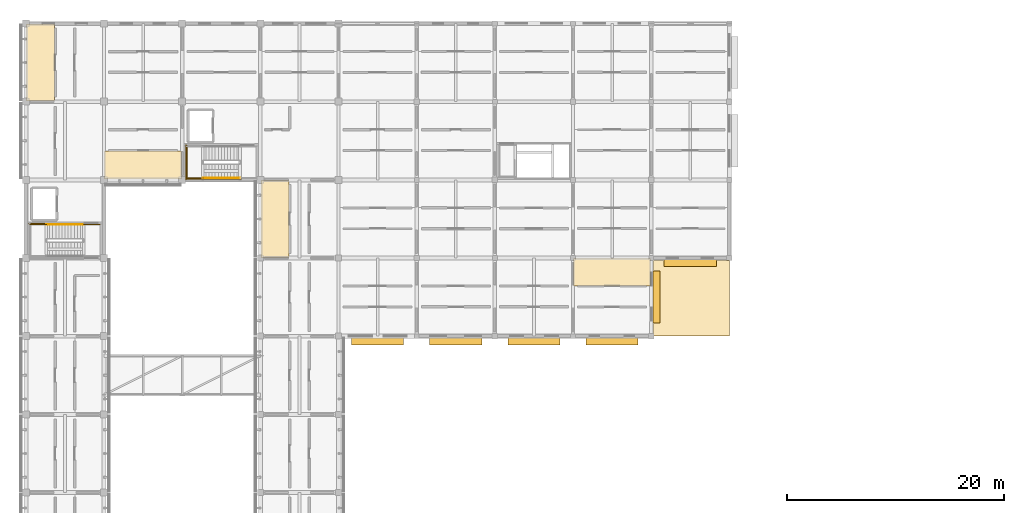
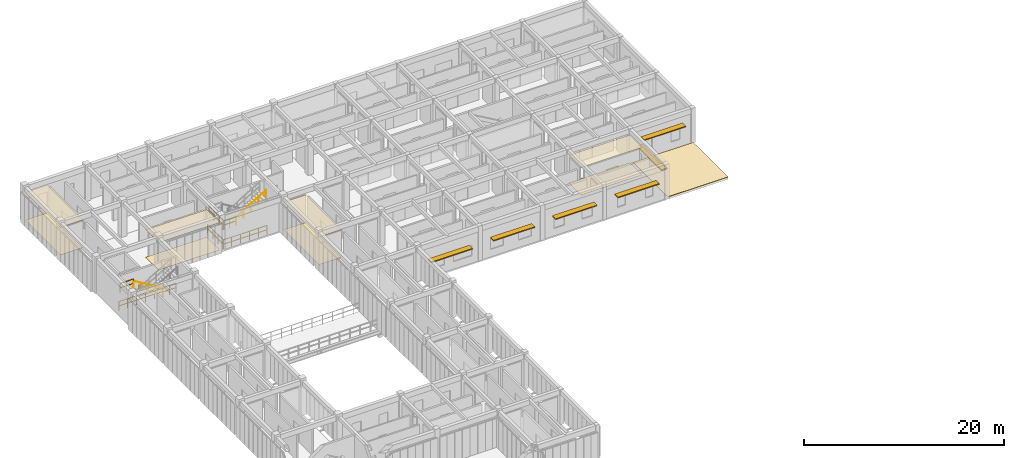
# One storey, part 88 of 91: 9 coverings, 9 railings, 6 shading devices.
"""IFC4 building model written with IfcOpenShell, lengths in metres."""

import ifcopenshell
import ifcopenshell.guid

model = None  # the IFC model being written
_history = None  # IfcOwnerHistory: only IFC2X3 demands one
_inside = {}  # id of a spatial element -> (the spatial element, [elements in it])
_under = {}  # id of a project, library or spatial element -> (it, [spatial elements below it])
_declared = {}  # id of a project -> (the project, [libraries it declares])
_typed = {}  # id of a type object -> (the type object, [elements of that type])
_made_of = {}  # id of a material, layer set ... -> (it, [elements and type objects made of it])


def new_model(schema):
    """Start an empty IFC model of exactly this schema.

    Asked for "IFC4X3", IfcOpenShell would pick the latest addendum, in which some entities
    have other attributes; the version numbers below select the first issue.
    IFC2X3 requires an IfcOwnerHistory on every rooted entity: one is made here for all.
    """
    global model, _history
    if schema == "IFC4X3":
        model = ifcopenshell.file(schema_version=(4, 3, 0, 0))
    else:
        model = ifcopenshell.file(schema=schema)
    _inside.clear()
    _under.clear()
    _declared.clear()
    _typed.clear()
    _made_of.clear()
    _history = None
    if model.schema == "IFC2X3":
        org = make("IfcOrganization", Name="unknown")
        user = make(
            "IfcPersonAndOrganization",
            ThePerson=make("IfcPerson", FamilyName="unknown"),
            TheOrganization=org,
        )
        app = make(
            "IfcApplication",
            ApplicationDeveloper=org,
            Version="unknown",
            ApplicationFullName="unknown",
            ApplicationIdentifier="unknown",
        )
        _history = make(
            "IfcOwnerHistory",
            OwningUser=user,
            OwningApplication=app,
            ChangeAction="ADDED",
            CreationDate=0,
        )
    return model


def make(cls, **values):
    """One entity of the class cls with the attributes given. An attribute that is None is left unset."""
    return model.create_entity(
        cls, **{name: value for name, value in values.items() if value is not None}
    )


def rooted(cls, **values):
    """An entity with a GlobalId (a new one), such as an element, a storey or a relation."""
    return make(cls, GlobalId=ifcopenshell.guid.new(), OwnerHistory=_history, **values)


def si_unit(unit_type, name, prefix=None):
    """IfcSIUnit, for example si_unit("LENGTHUNIT", "METRE", prefix="MILLI")."""
    return make("IfcSIUnit", UnitType=unit_type, Prefix=prefix, Name=name)


def assignment(units):
    """IfcUnitAssignment: the units of a project."""
    return None if units is None else make("IfcUnitAssignment", Units=units)


def point(xyz):
    """IfcCartesianPoint."""
    return None if xyz is None else make("IfcCartesianPoint", Coordinates=xyz)


def direction(xyz):
    """IfcDirection."""
    return None if xyz is None else make("IfcDirection", DirectionRatios=xyz)


def frame(location, z_axis=None, x_axis=None):
    """IfcAxis2Placement3D, a coordinate frame: its origin and axes. An axis left out is left unset."""
    return make(
        "IfcAxis2Placement3D",
        Location=point(location),
        Axis=direction(z_axis),
        RefDirection=direction(x_axis),
    )


def frame_2d(location, x_axis=None):
    """IfcAxis2Placement2D, a coordinate frame in the plane: its origin and x axis."""
    return make(
        "IfcAxis2Placement2D", Location=point(location), RefDirection=direction(x_axis)
    )


def origin():
    """The frame at (0, 0, 0) with its axes left unset."""
    return frame((0.0, 0.0, 0.0))


def origin_2d():
    """The frame at (0, 0) in the plane with its x axis left unset."""
    return frame_2d((0.0, 0.0))


def place(relative_to, where):
    """IfcLocalPlacement: puts the frame where relative to a parent placement (None: the world)."""
    return make(
        "IfcLocalPlacement", PlacementRelTo=relative_to, RelativePlacement=where
    )


def context(
    kind, dimensions, precision=None, world=None, true_north=None, identifier=None
):
    """IfcGeometricRepresentationContext, for example the 3D "Model" context."""
    return make(
        "IfcGeometricRepresentationContext",
        ContextIdentifier=identifier,
        ContextType=kind,
        CoordinateSpaceDimension=dimensions,
        Precision=precision,
        WorldCoordinateSystem=world,
        TrueNorth=true_north,
    )


def subcontext(parent, identifier, kind, view, scale=None):
    """IfcGeometricRepresentationSubContext, for example "Body" below "Model"."""
    return make(
        "IfcGeometricRepresentationSubContext",
        ContextIdentifier=identifier,
        ContextType=kind,
        ParentContext=parent,
        TargetScale=scale,
        TargetView=view,
    )


def project(units=None, contexts=None):
    """IfcProject with its units and contexts."""
    return rooted(
        "IfcProject",
        Name="project",
        RepresentationContexts=contexts,
        UnitsInContext=assignment(units),
    )


def spatial(cls, under=None, at=None, **own):
    """A site, building, storey or space (cls), placed at a placement, below another one or the project."""
    s = rooted(cls, ObjectPlacement=at, **own)
    if under is not None:
        _under.setdefault(under.id(), (under, []))[1].append(s)
    return s


def polyline(points):
    """IfcPolyline through the points."""
    return make("IfcPolyline", Points=[point(p) for p in points])


def profile(cls, at=None, kind="AREA", **sizes):
    """A parametric profile (cls). Its sizes go by their IFC names, for example OverallWidth=200.0."""
    return make(cls, ProfileType=kind, Position=at, **sizes)


def rectangle(**sizes):
    """IfcRectangleProfileDef."""
    return profile("IfcRectangleProfileDef", **sizes)


def circle(**sizes):
    """IfcCircleProfileDef."""
    return profile("IfcCircleProfileDef", **sizes)


def outline(outer, holes=None, kind="AREA"):
    """IfcArbitraryClosedProfileDef: a profile drawn as a closed curve; with holes, ...WithVoids."""
    if holes is None:
        return make("IfcArbitraryClosedProfileDef", ProfileType=kind, OuterCurve=outer)
    return make(
        "IfcArbitraryProfileDefWithVoids",
        ProfileType=kind,
        OuterCurve=outer,
        InnerCurves=holes,
    )


def extrude(swept, where, along, depth):
    """IfcExtrudedAreaSolid: the profile swept, set in the frame where, extruded along a direction by depth."""
    return make(
        "IfcExtrudedAreaSolid",
        SweptArea=swept,
        Position=where,
        ExtrudedDirection=direction(along),
        Depth=depth,
    )


def shape(context_of_items, identifier, shape_type, items):
    """IfcShapeRepresentation: the items that make up one representation, for example the "Body"."""
    return make(
        "IfcShapeRepresentation",
        ContextOfItems=context_of_items,
        RepresentationIdentifier=identifier,
        RepresentationType=shape_type,
        Items=items,
    )


def material(Name=None, Category=None):
    """IfcMaterial."""
    return make("IfcMaterial", Name=Name, Category=Category)


def layer(
    of_material, thickness, ventilated=None, Name=None, Category=None, Priority=None
):
    """IfcMaterialLayer: one layer of a wall or slab, of a material (None: an air gap)."""
    return make(
        "IfcMaterialLayer",
        Material=of_material,
        LayerThickness=thickness,
        IsVentilated=ventilated,
        Name=Name,
        Category=Category,
        Priority=Priority,
    )


def layer_set(layers, Name=None):
    """IfcMaterialLayerSet."""
    return make("IfcMaterialLayerSet", MaterialLayers=layers, LayerSetName=Name)


def made_of(thing, what):
    """Note that an element or type object is made of a material, layer set ...; save() writes the relation."""
    if what is not None:
        _made_of.setdefault(what.id(), (what, []))[1].append(thing)
    return thing


def type_object(cls, material=None, **own):
    """A type object (cls), such as IfcWallType, which elements share."""
    return made_of(rooted(cls, **own), material)


def element(
    cls,
    number,
    at=None,
    inside=None,
    cuts=None,
    type_object=None,
    material=None,
    context=None,
    identifier="Body",
    shape_type=None,
    held_by="IfcProductDefinitionShape",
    body=None,
    shapes=None,
    **own,
):
    """One element of the class cls, such as IfcWall. Its Tag is "e" and its number.

    at: its placement. inside: the storey or other place that contains it. cuts: it is an
    opening in that element (IfcRelVoidsElement). A single representation is given by context,
    identifier, shape_type and body (its items); several are given by shapes. held_by: the class
    of the entity that holds the representations. save() writes the other relations.
    """
    e = rooted(cls, Tag="e%d" % number, ObjectPlacement=at, **own)
    if body is not None:
        shapes = [shape(context, identifier, shape_type, body)]
    if shapes is not None:
        e.Representation = make(held_by, Representations=shapes)
    if inside is not None:
        _inside.setdefault(inside.id(), (inside, []))[1].append(e)
    if cuts is not None:
        rooted(
            "IfcRelVoidsElement", RelatingBuildingElement=cuts, RelatedOpeningElement=e
        )
    if type_object is not None:
        _typed.setdefault(type_object.id(), (type_object, []))[1].append(e)
    return made_of(e, material)


def aggregate(whole, parts):
    """IfcRelAggregates: a whole, such as a stair, and the parts it consists of."""
    return rooted("IfcRelAggregates", RelatingObject=whole, RelatedObjects=parts)


def save(model, path):
    """Write the relations noted so far, then the file.

    IfcRelAggregates (storeys below a building ...), IfcRelContainedInSpatialStructure (elements
    in a storey), IfcRelDefinesByType, IfcRelAssociatesMaterial and IfcRelDeclares: one each for
    every whole, place, type object, material and project.
    """
    for whole, parts in _under.values():
        aggregate(whole, parts)
    for where, things in _inside.values():
        rooted(
            "IfcRelContainedInSpatialStructure",
            RelatedElements=things,
            RelatingStructure=where,
        )
    for kind, things in _typed.values():
        rooted("IfcRelDefinesByType", RelatedObjects=things, RelatingType=kind)
    for what, things in _made_of.values():
        rooted("IfcRelAssociatesMaterial", RelatedObjects=things, RelatingMaterial=what)
    for by, libraries in _declared.values():
        rooted("IfcRelDeclares", RelatingContext=by, RelatedDefinitions=libraries)
    model.write(path)


model = new_model("IFC4")

# Units and contexts
model_context = context("Model", 3, precision=1e-05, world=origin(), true_north=direction((0.0, 1.0)))
body_context = subcontext(model_context, "Body", "Model", "MODEL_VIEW")
ifc_project = project(units=[si_unit("LENGTHUNIT", "METRE"), si_unit("AREAUNIT", "SQUARE_METRE"), si_unit("VOLUMEUNIT", "CUBIC_METRE"), si_unit("PLANEANGLEUNIT", "RADIAN"), si_unit("MASSUNIT", "GRAM", prefix="KILO")], contexts=[model_context])

# Site, building, storey
site_placement = place(None, origin())
site = spatial("IfcSite", under=ifc_project, at=site_placement, CompositionType="ELEMENT")
building_placement = place(site_placement, origin())
building = spatial("IfcBuilding", under=site, at=building_placement, Name="Aldebral Square Health Centre", CompositionType="ELEMENT")
storey_placement = place(building_placement, frame((0.0, 0.0, 9.0)))
storey = spatial("IfcBuildingStorey", under=building, at=storey_placement, Name="L02", CompositionType="ELEMENT", Elevation=9.0)

# Coverings
ifc_material_1 = material(Name="Hygienic acoustic mineral ceiling tile")
ifc_layer_1 = layer(ifc_material_1, 0.02001953125, Name="Hygienic acoustic mineral ceiling tile")
ifc_layer_set_1 = layer_set([ifc_layer_1], Name="Hygienic acoustic mineral ceiling tile")
covering_type_1 = type_object("IfcCoveringType", Name="COV-CLG-AC", PredefinedType="CEILING", material=ifc_layer_set_1)
covering_1_placement = place(storey_placement, frame((0.0, 0.0, 3.360107421875)))
element("IfcCovering", 1, at=covering_1_placement, inside=storey, type_object=covering_type_1, Name="L02 Sterile Instrument Store 8.13N acoustic ceiling", PredefinedType="CEILING", context=body_context, shape_type="SweptSolid", body=[
    extrude(outline(polyline([(50.4599609375, 91.0400390625), (57.5400390625, 91.0400390625), (57.5400390625, 93.5400390625), (50.4599609375, 93.5400390625), (50.4599609375, 91.0400390625)])), origin(), (0.0, 0.0, 1.0), 0.019775390625),
])
covering_2_placement = place(storey_placement, frame((0.0, 0.0, 3.360107421875)))
element("IfcCovering", 2, at=covering_2_placement, inside=storey, type_object=covering_type_1, Name="L02 Family Toilet 1.16W acoustic ceiling", PredefinedType="CEILING", context=body_context, shape_type="SweptSolid", body=[
    extrude(outline(polyline([(0.06005859375, 108.06005859375), (2.659912109375, 108.06005859375), (2.659912109375, 115.139892578125), (0.06005859375, 115.139892578125), (0.06005859375, 108.06005859375)])), origin(), (0.0, 0.0, 1.0), 0.019775390625),
])
covering_3_placement = place(storey_placement, frame((0.0, 0.0, 3.360107421875)))
element("IfcCovering", 3, at=covering_3_placement, inside=storey, type_object=covering_type_1, Name="L02 General Consulting Room 2.15S acoustic ceiling", PredefinedType="CEILING", context=body_context, shape_type="SweptSolid", body=[
    extrude(outline(polyline([(7.260009765625, 100.860107421875), (14.340087890625, 100.860107421875), (14.340087890625, 103.47998046875), (7.260009765625, 103.47998046875), (7.260009765625, 100.860107421875)])), origin(), (0.0, 0.0, 1.0), 0.019775390625),
])
covering_4_placement = place(storey_placement, frame((0.0, 0.0, 3.360107421875)))
element("IfcCovering", 4, at=covering_4_placement, inside=storey, type_object=covering_type_1, Name="L02 Family Toilet 4.14W acoustic ceiling", PredefinedType="CEILING", context=body_context, shape_type="SweptSolid", body=[
    extrude(outline(polyline([(21.659912109375, 93.659912109375), (24.260009765625, 93.659912109375), (24.260009765625, 100.739990234375), (21.659912109375, 100.739990234375), (21.659912109375, 93.659912109375)])), origin(), (0.0, 0.0, 1.0), 0.019775390625),
])
ifc_material_2 = material(Name="Antimicrobial clinical vinyl flooring")
ifc_layer_2 = layer(ifc_material_2, 0.014892578125, Name="Antimicrobial clinical vinyl flooring")
ifc_layer_set_2 = layer_set([ifc_layer_2], Name="Antimicrobial clinical vinyl flooring")
covering_type_2 = type_object("IfcCoveringType", Name="COV-FLR-VN", PredefinedType="FLOORING", material=ifc_layer_set_2)
covering_5_placement = place(storey_placement, origin())
element("IfcCovering", 5, at=covering_5_placement, inside=storey, type_object=covering_type_2, Name="L02 Sterile Instrument Store 8.13N clinical flooring", PredefinedType="FLOORING", context=body_context, shape_type="SweptSolid", body=[
    extrude(outline(polyline([(50.4599609375, 91.0400390625), (57.5400390625, 91.0400390625), (57.5400390625, 93.5400390625), (50.4599609375, 93.5400390625), (50.4599609375, 91.0400390625)])), origin(), (0.0, 0.0, 1.0), 0.014892578125),
])
covering_6_placement = place(storey_placement, origin())
element("IfcCovering", 6, at=covering_6_placement, inside=storey, type_object=covering_type_2, Name="L02 Family Toilet 1.16W clinical flooring", PredefinedType="FLOORING", context=body_context, shape_type="SweptSolid", body=[
    extrude(outline(polyline([(0.06005859375, 108.06005859375), (2.659912109375, 108.06005859375), (2.659912109375, 115.139892578125), (0.06005859375, 115.139892578125), (0.06005859375, 108.06005859375)])), origin(), (0.0, 0.0, 1.0), 0.014892578125),
])
covering_7_placement = place(storey_placement, origin())
element("IfcCovering", 7, at=covering_7_placement, inside=storey, type_object=covering_type_2, Name="L02 General Consulting Room 2.15S clinical flooring", PredefinedType="FLOORING", context=body_context, shape_type="SweptSolid", body=[
    extrude(outline(polyline([(7.260009765625, 100.860107421875), (14.340087890625, 100.860107421875), (14.340087890625, 103.47998046875), (7.260009765625, 103.47998046875), (7.260009765625, 100.860107421875)])), origin(), (0.0, 0.0, 1.0), 0.014892578125),
])
covering_8_placement = place(storey_placement, origin())
element("IfcCovering", 8, at=covering_8_placement, inside=storey, type_object=covering_type_2, Name="L02 Family Toilet 4.14W clinical flooring", PredefinedType="FLOORING", context=body_context, shape_type="SweptSolid", body=[
    extrude(outline(polyline([(21.659912109375, 93.659912109375), (24.260009765625, 93.659912109375), (24.260009765625, 100.739990234375), (21.659912109375, 100.739990234375), (21.659912109375, 93.659912109375)])), origin(), (0.0, 0.0, 1.0), 0.014892578125),
])
ifc_material_3 = material(Name="Reflective insulated membrane roofing")
ifc_layer_3 = layer(ifc_material_3, 0.050048828125, Name="Reflective insulated membrane roofing")
ifc_layer_set_3 = layer_set([ifc_layer_3], Name="Reflective insulated membrane roofing")
covering_type_3 = type_object("IfcCoveringType", Name="COV-RF-50", PredefinedType="ROOFING", material=ifc_layer_set_3)
covering_9_placement = place(storey_placement, origin())
element("IfcCovering", 9, at=covering_9_placement, inside=storey, type_object=covering_type_3, Name="L01 V2 roof slab 1 insulated roof membrane", PredefinedType="ROOFING", context=body_context, shape_type="SweptSolid", body=[
    extrude(outline(polyline([(64.800048828125, 86.39990234375), (57.820068359375, 86.39990234375), (57.820068359375, 93.3798828125), (64.800048828125, 93.3798828125), (64.800048828125, 86.39990234375)])), origin(), (0.0, 0.0, 1.0), 0.050048828125),
])

# Railings
ifc_material_4 = material(Name="Painted steel S355JR stair guard", Category="steel")
railing_type_1 = type_object("IfcRailingType", Name="RL-ST-GRD", PredefinedType="GUARDRAIL", material=ifc_material_4)
railing_1_placement = place(storey_placement, frame((1.89990234375, 96.669921875, 2.25)))
element("IfcRailing", 10, at=railing_1_placement, inside=storey, type_object=railing_type_1, Name="L02 ST-01 stair guard 3", PredefinedType="GUARDRAIL", context=body_context, shape_type="SweptSolid", body=[
    extrude(circle(Radius=0.02392578125, at=origin_2d()), frame((0.0, 0.0, 1.09619140625), z_axis=(-1.0, 0.0, 0.0), x_axis=(0.0, -1.0, 0.0)), (0.0, 0.0, 1.0), 1.52001953125),
    extrude(circle(Radius=0.02392578125, at=origin_2d()), frame((0.0, 0.0, 0.56005859375), z_axis=(-1.0, 0.0, 0.0), x_axis=(0.0, -1.0, 0.0)), (0.0, 0.0, 1.0), 1.52001953125),
    extrude(circle(Radius=0.02099609375, at=origin_2d()), origin(), (0.0, 0.0, 1.0), 1.072021484375),
    extrude(circle(Radius=0.02099609375, at=origin_2d()), frame((-0.760009765625, 0.0, 0.0)), (0.0, 0.0, 1.0), 1.072021484375),
    extrude(circle(Radius=0.02099609375, at=origin_2d()), frame((-1.52001953125, 0.0, 0.0)), (0.0, 0.0, 1.0), 1.072021484375),
])
railing_2_placement = place(storey_placement, frame((6.820068359375, 96.669921875, 0.0)))
element("IfcRailing", 11, at=railing_2_placement, inside=storey, type_object=railing_type_1, Name="L02 ST-01 stair guard 8", PredefinedType="GUARDRAIL", context=body_context, shape_type="SweptSolid", body=[
    extrude(circle(Radius=0.02392578125, at=origin_2d()), frame((0.0, 0.0, 1.09619140625), z_axis=(-1.0, 0.0, 0.0), x_axis=(0.0, -1.0, 0.0)), (0.0, 0.0, 1.0), 1.5),
    extrude(circle(Radius=0.02392578125, at=origin_2d()), frame((0.0, 0.0, 0.56005859375), z_axis=(-1.0, 0.0, 0.0), x_axis=(0.0, -1.0, 0.0)), (0.0, 0.0, 1.0), 1.5),
    extrude(circle(Radius=0.02099609375, at=origin_2d()), origin(), (0.0, 0.0, 1.0), 1.072021484375),
    extrude(circle(Radius=0.02099609375, at=origin_2d()), frame((-0.75, 0.0, 0.0)), (0.0, 0.0, 1.0), 1.072021484375),
    extrude(circle(Radius=0.02099609375, at=origin_2d()), frame((-1.5, 0.0, 0.0)), (0.0, 0.0, 1.0), 1.072021484375),
])
railing_3_placement = place(storey_placement, frame((5.419921875, 96.77001953125, 0.0)))
element("IfcRailing", 12, at=railing_3_placement, inside=storey, type_object=railing_type_1, Name="L02 ST-01 stair guard 10", PredefinedType="GUARDRAIL", context=body_context, shape_type="SweptSolid", body=[
    extrude(circle(Radius=0.02392578125, at=origin_2d()), frame((0.0, 0.0, 1.09619140625), z_axis=(-1.0, 0.0, 0.0), x_axis=(0.0, -1.0, 0.0)), (0.0, 0.0, 1.0), 5.139892578125),
    extrude(circle(Radius=0.02392578125, at=origin_2d()), frame((0.0, 0.0, 0.56005859375), z_axis=(-1.0, 0.0, 0.0), x_axis=(0.0, -1.0, 0.0)), (0.0, 0.0, 1.0), 5.139892578125),
    extrude(circle(Radius=0.02099609375, at=origin_2d()), origin(), (0.0, 0.0, 1.0), 1.072021484375),
    extrude(circle(Radius=0.02099609375, at=origin_2d()), frame((-1.028076171875, 0.0, 0.0)), (0.0, 0.0, 1.0), 1.072021484375),
    extrude(circle(Radius=0.02099609375, at=origin_2d()), frame((-2.055908203125, 0.0, 0.0)), (0.0, 0.0, 1.0), 1.072021484375),
    extrude(circle(Radius=0.02099609375, at=origin_2d()), frame((-3.083984375, 0.0, 0.0)), (0.0, 0.0, 1.0), 1.072021484375),
    extrude(circle(Radius=0.02099609375, at=origin_2d()), frame((-4.11181640625, 0.0, 0.0)), (0.0, 0.0, 1.0), 1.072021484375),
    extrude(circle(Radius=0.02099609375, at=origin_2d()), frame((-5.139892578125, 0.0, 0.0)), (0.0, 0.0, 1.0), 1.072021484375),
])
railing_4_placement = place(storey_placement, frame((16.300048828125, 100.969970703125, 2.25)))
element("IfcRailing", 13, at=railing_4_placement, inside=storey, type_object=railing_type_1, Name="L02 ST-02 stair guard 4", PredefinedType="GUARDRAIL", context=body_context, shape_type="SweptSolid", body=[
    extrude(circle(Radius=0.02392578125, at=origin_2d()), frame((0.0, 0.0, 1.09619140625), z_axis=(-1.0, 0.0, 0.0), x_axis=(0.0, -1.0, 0.0)), (0.0, 0.0, 1.0), 1.52001953125),
    extrude(circle(Radius=0.02392578125, at=origin_2d()), frame((0.0, 0.0, 0.56005859375), z_axis=(-1.0, 0.0, 0.0), x_axis=(0.0, -1.0, 0.0)), (0.0, 0.0, 1.0), 1.52001953125),
    extrude(circle(Radius=0.02099609375, at=origin_2d()), origin(), (0.0, 0.0, 1.0), 1.072021484375),
    extrude(circle(Radius=0.02099609375, at=origin_2d()), frame((-0.760009765625, 0.0, 0.0)), (0.0, 0.0, 1.0), 1.072021484375),
    extrude(circle(Radius=0.02099609375, at=origin_2d()), frame((-1.52001953125, 0.0, 0.0)), (0.0, 0.0, 1.0), 1.072021484375),
])
railing_5_placement = place(storey_placement, frame((14.830078125, 103.919921875, 2.25)))
element("IfcRailing", 14, at=railing_5_placement, inside=storey, type_object=railing_type_1, Name="L02 ST-02 stair guard 5", PredefinedType="GUARDRAIL", context=body_context, shape_type="SweptSolid", body=[
    extrude(circle(Radius=0.02392578125, at=origin_2d()), frame((0.0, 0.0, 1.09619140625), z_axis=(0.0, -1.0, 0.0), x_axis=(1.0, 0.0, 0.0)), (0.0, 0.0, 1.0), 3.0),
    extrude(circle(Radius=0.02392578125, at=origin_2d()), frame((0.0, 0.0, 0.56005859375), z_axis=(0.0, -1.0, 0.0), x_axis=(1.0, 0.0, 0.0)), (0.0, 0.0, 1.0), 3.0),
    extrude(circle(Radius=0.02099609375, at=origin_2d()), origin(), (0.0, 0.0, 1.0), 1.072021484375),
    extrude(circle(Radius=0.02099609375, at=origin_2d()), frame((0.0, -1.0, 0.0)), (0.0, 0.0, 1.0), 1.072021484375),
    extrude(circle(Radius=0.02099609375, at=origin_2d()), frame((0.0, -2.0, 0.0)), (0.0, 0.0, 1.0), 1.072021484375),
    extrude(circle(Radius=0.02099609375, at=origin_2d()), frame((0.0, -3.0, 0.0)), (0.0, 0.0, 1.0), 1.072021484375),
])
railing_6_placement = place(storey_placement, frame((19.820068359375, 100.8701171875, 0.0)))
element("IfcRailing", 15, at=railing_6_placement, inside=storey, type_object=railing_type_1, Name="L02 ST-02 stair guard 11", PredefinedType="GUARDRAIL", context=body_context, shape_type="SweptSolid", body=[
    extrude(circle(Radius=0.02392578125, at=origin_2d()), frame((0.0, 0.0, 1.09619140625), z_axis=(-1.0, 0.0, 0.0), x_axis=(0.0, -1.0, 0.0)), (0.0, 0.0, 1.0), 5.14013671875),
    extrude(circle(Radius=0.02392578125, at=origin_2d()), frame((0.0, 0.0, 0.56005859375), z_axis=(-1.0, 0.0, 0.0), x_axis=(0.0, -1.0, 0.0)), (0.0, 0.0, 1.0), 5.14013671875),
    extrude(circle(Radius=0.02099609375, at=origin_2d()), origin(), (0.0, 0.0, 1.0), 1.072021484375),
    extrude(circle(Radius=0.02099609375, at=origin_2d()), frame((-1.028076171875, 0.0, 0.0)), (0.0, 0.0, 1.0), 1.072021484375),
    extrude(circle(Radius=0.02099609375, at=origin_2d()), frame((-2.05615234375, 0.0, 0.0)), (0.0, 0.0, 1.0), 1.072021484375),
    extrude(circle(Radius=0.02099609375, at=origin_2d()), frame((-3.083984375, 0.0, 0.0)), (0.0, 0.0, 1.0), 1.072021484375),
    extrude(circle(Radius=0.02099609375, at=origin_2d()), frame((-4.112060546875, 0.0, 0.0)), (0.0, 0.0, 1.0), 1.072021484375),
    extrude(circle(Radius=0.02099609375, at=origin_2d()), frame((-5.14013671875, 0.0, 0.0)), (0.0, 0.0, 1.0), 1.072021484375),
])
railing_7_placement = place(storey_placement, frame((14.72998046875, 104.02001953125, 0.0)))
element("IfcRailing", 16, at=railing_7_placement, inside=storey, type_object=railing_type_1, Name="L02 ST-02 stair guard 12", PredefinedType="GUARDRAIL", context=body_context, shape_type="SweptSolid", body=[
    extrude(circle(Radius=0.02392578125, at=origin_2d()), frame((0.0, 0.0, 1.09619140625), z_axis=(0.0, -1.0, 0.0), x_axis=(1.0, 0.0, 0.0)), (0.0, 0.0, 1.0), 3.199951171875),
    extrude(circle(Radius=0.02392578125, at=origin_2d()), frame((0.0, 0.0, 0.56005859375), z_axis=(0.0, -1.0, 0.0), x_axis=(1.0, 0.0, 0.0)), (0.0, 0.0, 1.0), 3.199951171875),
    extrude(circle(Radius=0.02099609375, at=origin_2d()), origin(), (0.0, 0.0, 1.0), 1.072021484375),
    extrude(circle(Radius=0.02099609375, at=origin_2d()), frame((0.0, -1.066650390625, 0.0)), (0.0, 0.0, 1.0), 1.072021484375),
    extrude(circle(Radius=0.02099609375, at=origin_2d()), frame((0.0, -2.13330078125, 0.0)), (0.0, 0.0, 1.0), 1.072021484375),
    extrude(circle(Radius=0.02099609375, at=origin_2d()), frame((0.0, -3.199951171875, 0.0)), (0.0, 0.0, 1.0), 1.072021484375),
])
ifc_material_5 = material(Name="Brushed stainless steel handrail", Category="steel")
railing_type_2 = type_object("IfcRailingType", Name="RL-ST-HND", PredefinedType="HANDRAIL", material=ifc_material_5)
railing_8_placement = place(storey_placement, frame((5.320068359375, 96.669921875, 0.173095703125)))
element("IfcRailing", 17, at=railing_8_placement, inside=storey, type_object=railing_type_2, Name="L02 ST-01 stair handrail 1", PredefinedType="HANDRAIL", context=body_context, shape_type="SweptSolid", body=[
    extrude(circle(Radius=0.02392578125, at=origin_2d()), frame((0.0, 0.0, 0.8759765625), z_axis=(-0.854745945586, 0.0, 0.519046595696), x_axis=(0.0, -1.0, 0.0)), (0.0, 0.0, 1.0), 4.00146484375),
    extrude(circle(Radius=0.02099609375, at=origin_2d()), origin(), (0.0, 0.0, 1.0), 0.851806640625),
    extrude(circle(Radius=0.02099609375, at=origin_2d()), frame((-0.85498046875, 0.0, 0.519287109375)), (0.0, 0.0, 1.0), 0.851806640625),
    extrude(circle(Radius=0.02099609375, at=origin_2d()), frame((-1.7099609375, 0.0, 1.03857421875)), (0.0, 0.0, 1.0), 0.851806640625),
    extrude(circle(Radius=0.02099609375, at=origin_2d()), frame((-2.565185546875, 0.0, 1.5576171875)), (0.0, 0.0, 1.0), 0.851806640625),
    extrude(circle(Radius=0.02099609375, at=origin_2d()), frame((-3.420166015625, 0.0, 2.076904296875)), (0.0, 0.0, 1.0), 0.851806640625),
])
railing_9_placement = place(storey_placement, frame((16.300048828125, 100.969970703125, 2.423095703125)))
element("IfcRailing", 18, at=railing_9_placement, inside=storey, type_object=railing_type_2, Name="L02 ST-02 stair handrail 2", PredefinedType="HANDRAIL", context=body_context, shape_type="SweptSolid", body=[
    extrude(circle(Radius=0.02392578125, at=origin_2d()), frame((0.0, 0.0, 0.8759765625), z_axis=(0.854729506542, 0.0, 0.519073665916), x_axis=(0.0, 1.0, 0.0)), (0.0, 0.0, 1.0), 4.001220703125),
    extrude(circle(Radius=0.02099609375, at=origin_2d()), origin(), (0.0, 0.0, 1.0), 0.851806640625),
    extrude(circle(Radius=0.02099609375, at=origin_2d()), frame((0.85498046875, 0.0, 0.519287109375)), (0.0, 0.0, 1.0), 0.851806640625),
    extrude(circle(Radius=0.02099609375, at=origin_2d()), frame((1.7099609375, 0.0, 1.03857421875)), (0.0, 0.0, 1.0), 0.851806640625),
    extrude(circle(Radius=0.02099609375, at=origin_2d()), frame((2.56494140625, 0.0, 1.5576171875)), (0.0, 0.0, 1.0), 0.851806640625),
    extrude(circle(Radius=0.02099609375, at=origin_2d()), frame((3.419921875, 0.0, 2.076904296875)), (0.0, 0.0, 1.0), 0.851806640625),
])

# Shading devices
ifc_material_6 = material(Name="Sienna-terracotta solar hood", Category="masonry")
shading_device_type = type_object("IfcShadingDeviceType", Name="SHD-LVR-1", PredefinedType="JALOUSIE", material=ifc_material_6)
for number, where, z_axis, x_axis, name in (
    (19, (32.39990234375, 85.93505859375, 2.169921875), (0.0, 0.0, 1.0), (1.0, 0.0, 0.0), "L02 solar hood L02-V2-04-12-S"),
    (20, (39.60009765625, 85.93505859375, 2.300048828125), (0.0, 0.0, 1.0), (1.0, 0.0, 0.0), "L02 solar hood L02-V2-05-12-S"),
    (21, (46.800048828125, 85.93505859375, 2.419921875), (0.0, 0.0, 1.0), (1.0, 0.0, 0.0), "L02 solar hood L02-V2-06-12-S"),
    (22, (54.0, 85.93505859375, 2.5400390625), (0.0, 0.0, 1.0), (1.0, 0.0, 0.0), "L02 solar hood L02-V2-07-12-S"),
    (23, (58.0849609375, 90.0, 2.5400390625), (0.0, 0.0, 1.0), (0.0, 1.0, 0.0), "L02 solar hood L02-V2-07-12-E"),
    (24, (61.199951171875, 93.135009765625, 2.669921875), (0.0, 0.0, 1.0), (1.0, 0.0, 0.0), "L02 solar hood L02-V2-08-13-S"),
):
    element("IfcShadingDevice", number, at=place(storey_placement, frame(where, z_axis=z_axis, x_axis=x_axis)), inside=storey, type_object=shading_device_type, Name=name, PredefinedType="JALOUSIE", context=body_context, shape_type="SweptSolid", body=[
        extrude(rectangle(XDim=4.800048828125, YDim=0.64990234375, at=origin_2d()), origin(), (0.0, 0.0, 1.0), 0.1201171875),
    ])

save(model, "model.ifc")
